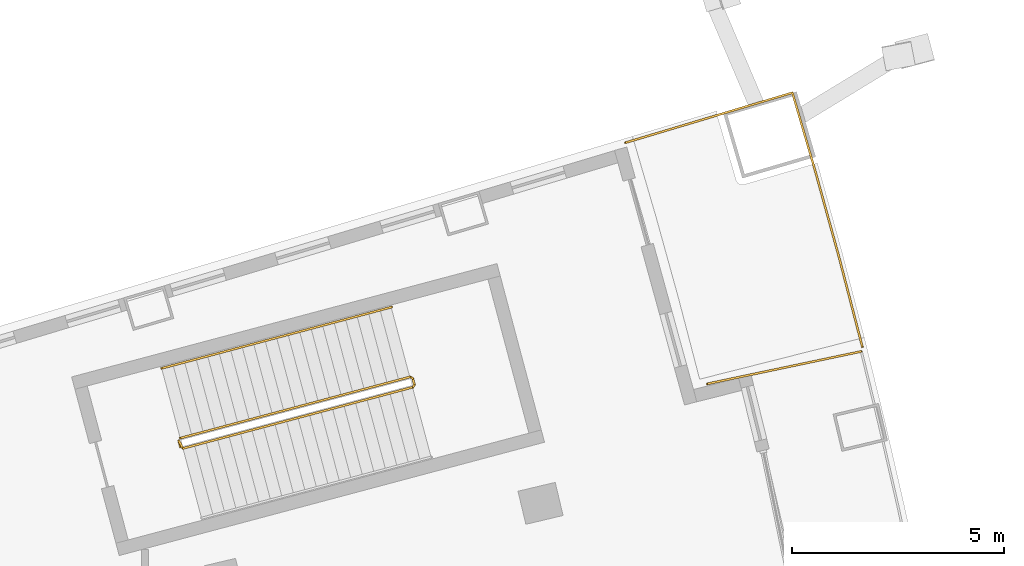
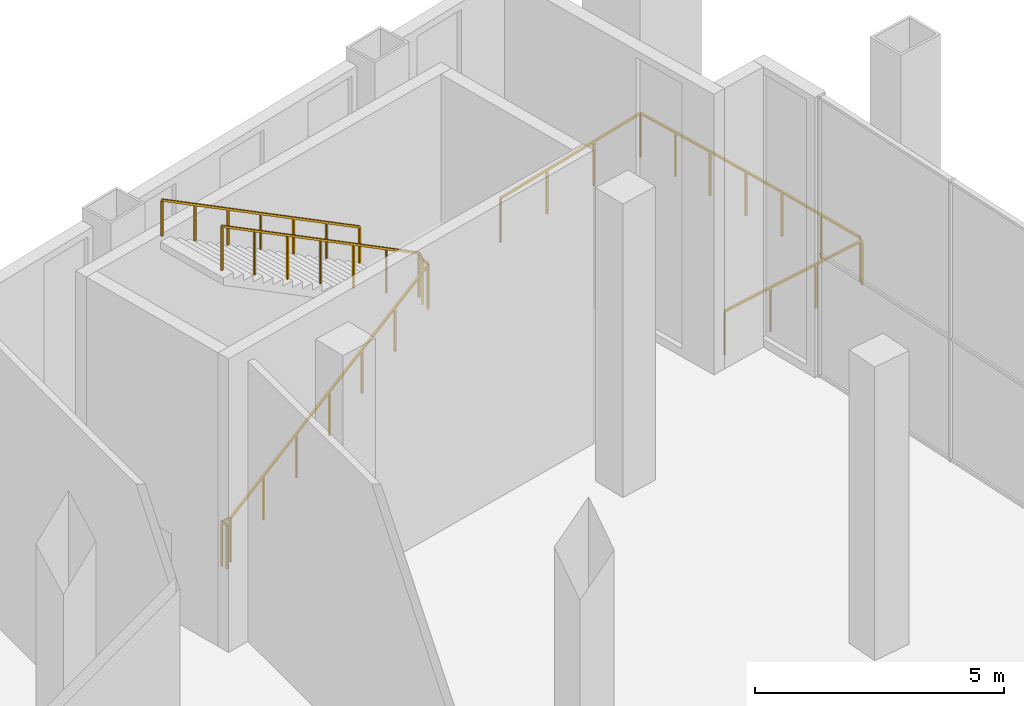
# One storey, part 25 of 26: 4 railings.
"""IFC4 building model written with IfcOpenShell, lengths in metres."""

from ifc_helpers import new_model, si_unit, direction, frame, origin, origin_2d, place, context, subcontext, project, spatial, rectangle, extrude, material, type_object, element, save


model = new_model("IFC4")

# Units and contexts
model_context = context("Model", 3, precision=1e-05, world=origin(), true_north=direction((0.0, 1.0)))
body_context = subcontext(model_context, "Body", "Model", "MODEL_VIEW")
ifc_project = project(units=[si_unit("LENGTHUNIT", "METRE"), si_unit("AREAUNIT", "SQUARE_METRE"), si_unit("VOLUMEUNIT", "CUBIC_METRE"), si_unit("PLANEANGLEUNIT", "RADIAN"), si_unit("MASSUNIT", "GRAM", prefix="KILO")], contexts=[model_context])

# Site, building, storey
site_placement = place(None, origin())
site = spatial("IfcSite", under=ifc_project, at=site_placement, CompositionType="ELEMENT")
building_placement = place(site_placement, origin())
building = spatial("IfcBuilding", under=site, at=building_placement, Name="Alderwake Tower", CompositionType="ELEMENT")
storey_placement = place(building_placement, frame((0.0, 0.0, 182.0)))
storey = spatial("IfcBuildingStorey", under=building, at=storey_placement, Name="L45", CompositionType="ELEMENT", Elevation=182.0)

# Railings
ifc_material_1 = material(Name="Stainless steel 316 rail and posts", Category="steel")
railing_type_1 = type_object("IfcRailingType", Name="Balcony guard 1100", PredefinedType="GUARDRAIL", material=ifc_material_1)
railing_1_placement = place(storey_placement, frame((55.28369140625, 95.037353515625, 0.0)))
element("IfcRailing", 1, at=railing_1_placement, inside=storey, type_object=railing_type_1, Name="Guard terrace FN", PredefinedType="GUARDRAIL", context=body_context, shape_type="SweptSolid", body=[
    extrude(rectangle(XDim=0.048095703125, YDim=0.048095703125, at=origin_2d()), frame((0.0, 0.0, 1.076171875), z_axis=(-0.251754622407, 0.967791098376, 0.0), x_axis=(-0.967791098376, -0.251754622407, 0.0)), (0.0, 0.0, 1.0), 2.234375),
    extrude(rectangle(XDim=0.048095703125, YDim=0.048095703125, at=origin_2d()), frame((-0.5625, 2.162353515625, 1.076171875), z_axis=(-0.266436611119, 0.963852443196, 0.0), x_axis=(-0.963852443196, -0.266436611119, 0.0)), (0.0, 0.0, 1.0), 2.0341796875),
    extrude(rectangle(XDim=0.048095703125, YDim=0.048095703125, at=origin_2d()), frame((-1.1044921875, 4.123046875, 1.076171875), z_axis=(-0.280184159138, 0.95994626775, 0.0), x_axis=(-0.95994626775, -0.280184159138, 0.0)), (0.0, 0.0, 1.0), 1.934326171875),
    extrude(rectangle(XDim=0.048095703125, YDim=0.048095703125, at=origin_2d()), frame((-1.646484375, 5.97998046875, 1.076171875), z_axis=(-0.957963839527, -0.286888971832, 0.0), x_axis=(0.286888971832, -0.957963839527, 0.0)), (0.0, 0.0, 1.0), 4.10009765625),
    extrude(rectangle(XDim=0.0419921875, YDim=0.0419921875, at=origin_2d()), frame((0.0, 0.0, 0.0), z_axis=(0.0, 0.0, 1.0), x_axis=(-0.251754622407, 0.967791098376, 0.0)), (0.0, 0.0, 1.0), 1.052001953125),
    extrude(rectangle(XDim=0.0419921875, YDim=0.0419921875, at=origin_2d()), frame((-0.28125, 1.0810546875, 0.0), z_axis=(0.0, 0.0, 1.0), x_axis=(-0.251754622407, 0.967791098376, 0.0)), (0.0, 0.0, 1.0), 1.052001953125),
    extrude(rectangle(XDim=0.0419921875, YDim=0.0419921875, at=origin_2d()), frame((-0.5625, 2.162353515625, 0.0), z_axis=(0.0, 0.0, 1.0), x_axis=(-0.266436611119, 0.963852443196, 0.0)), (0.0, 0.0, 1.0), 1.052001953125),
    extrude(rectangle(XDim=0.0419921875, YDim=0.0419921875, at=origin_2d()), frame((-0.83349609375, 3.142578125, 0.0), z_axis=(0.0, 0.0, 1.0), x_axis=(-0.266436611119, 0.963852443196, 0.0)), (0.0, 0.0, 1.0), 1.052001953125),
    extrude(rectangle(XDim=0.0419921875, YDim=0.0419921875, at=origin_2d()), frame((-1.1044921875, 4.123046875, 0.0), z_axis=(0.0, 0.0, 1.0), x_axis=(-0.280184159138, 0.95994626775, 0.0)), (0.0, 0.0, 1.0), 1.052001953125),
    extrude(rectangle(XDim=0.0419921875, YDim=0.0419921875, at=origin_2d()), frame((-1.37548828125, 5.051513671875, 0.0), z_axis=(0.0, 0.0, 1.0), x_axis=(-0.280184159138, 0.95994626775, 0.0)), (0.0, 0.0, 1.0), 1.052001953125),
    extrude(rectangle(XDim=0.0419921875, YDim=0.0419921875, at=origin_2d()), frame((-1.646484375, 5.97998046875, 0.0), z_axis=(0.0, 0.0, 1.0), x_axis=(-0.957963839527, -0.286888971832, 0.0)), (0.0, 0.0, 1.0), 1.052001953125),
    extrude(rectangle(XDim=0.0419921875, YDim=0.0419921875, at=origin_2d()), frame((-2.955810546875, 5.587890625, 0.0), z_axis=(0.0, 0.0, 1.0), x_axis=(-0.957963839527, -0.286888971832, 0.0)), (0.0, 0.0, 1.0), 1.052001953125),
    extrude(rectangle(XDim=0.0419921875, YDim=0.0419921875, at=origin_2d()), frame((-4.264892578125, 5.19580078125, 0.0), z_axis=(0.0, 0.0, 1.0), x_axis=(-0.957963839527, -0.286888971832, 0.0)), (0.0, 0.0, 1.0), 1.052001953125),
    extrude(rectangle(XDim=0.0419921875, YDim=0.0419921875, at=origin_2d()), frame((-5.57421875, 4.8037109375, 0.0), z_axis=(0.0, 0.0, 1.0), x_axis=(-0.957963839527, -0.286888971832, 0.0)), (0.0, 0.0, 1.0), 1.052001953125),
])
railing_2_placement = place(storey_placement, frame((55.259765625, 94.927978515625, 0.0)))
element("IfcRailing", 2, at=railing_2_placement, inside=storey, type_object=railing_type_1, Name="Guard garden terrace front end", PredefinedType="GUARDRAIL", context=body_context, shape_type="SweptSolid", body=[
    extrude(rectangle(XDim=0.048095703125, YDim=0.048095703125, at=origin_2d()), frame((0.0, 0.0, 1.076171875), z_axis=(-0.978571465615, -0.205907471171, 0.0), x_axis=(0.205907471171, -0.978571465615, 0.0)), (0.0, 0.0, 1.0), 3.702880859375),
    extrude(rectangle(XDim=0.0419921875, YDim=0.0419921875, at=origin_2d()), frame((0.0, 0.0, 0.0), z_axis=(0.0, 0.0, 1.0), x_axis=(-0.978571465615, -0.205907471171, 0.0)), (0.0, 0.0, 1.0), 1.052001953125),
    extrude(rectangle(XDim=0.0419921875, YDim=0.0419921875, at=origin_2d()), frame((-1.207763671875, -0.254150390625, 0.0), z_axis=(0.0, 0.0, 1.0), x_axis=(-0.978571465615, -0.205907471171, 0.0)), (0.0, 0.0, 1.0), 1.052001953125),
    extrude(rectangle(XDim=0.0419921875, YDim=0.0419921875, at=origin_2d()), frame((-2.415771484375, -0.50830078125, 0.0), z_axis=(0.0, 0.0, 1.0), x_axis=(-0.978571465615, -0.205907471171, 0.0)), (0.0, 0.0, 1.0), 1.052001953125),
    extrude(rectangle(XDim=0.0419921875, YDim=0.0419921875, at=origin_2d()), frame((-3.62353515625, -0.762451171875, 0.0), z_axis=(0.0, 0.0, 1.0), x_axis=(-0.978571465615, -0.205907471171, 0.0)), (0.0, 0.0, 1.0), 1.052001953125),
])
ifc_material_2 = material(Name="Stainless steel guard", Category="steel")
railing_type_2 = type_object("IfcRailingType", Name="Stair guard 1100", PredefinedType="GUARDRAIL", material=ifc_material_2)
railing_3_placement = place(storey_placement, frame((39.23291015625, 92.6806640625, 0.0)))
element("IfcRailing", 3, at=railing_3_placement, inside=storey, type_object=railing_type_2, Name="L45 ST-A stair guard 1", PredefinedType="GUARDRAIL", context=body_context, shape_type="SweptSolid", body=[
    extrude(rectangle(XDim=0.048095703125, YDim=0.048095703125, at=origin_2d()), frame((0.0, 0.0, 1.076171875), z_axis=(-0.257055032184, 0.966396766566, 0.0), x_axis=(-0.966396766566, -0.257055032184, 0.0)), (0.0, 0.0, 1.0), 0.150146484375),
    extrude(rectangle(XDim=0.048095703125, YDim=0.048095703125, at=origin_2d()), frame((-0.03857421875, 0.14501953125, 1.076171875), z_axis=(0.372402481115, -0.672873920646, 0.639184698638), x_axis=(0.874937996095, 0.484234966715, 0.0)), (0.0, 0.0, 1.0), 0.26806640625),
    extrude(rectangle(XDim=0.048095703125, YDim=0.048095703125, at=origin_2d()), frame((0.061279296875, -0.035400390625, 1.24755859375), z_axis=(0.824109601868, 0.219514689349, 0.522165361996), x_axis=(-0.257391295463, 0.966307260151, 0.0)), (0.0, 0.0, 1.0), 6.56640625),
    extrude(rectangle(XDim=0.048095703125, YDim=0.048095703125, at=origin_2d()), frame((5.47265625, 1.406005859375, 4.67626953125), z_axis=(0.500220121494, 0.865898279276, 0.0), x_axis=(-0.865898279276, 0.500220121494, 0.0)), (0.0, 0.0, 1.0), 0.07080078125),
    extrude(rectangle(XDim=0.048095703125, YDim=0.048095703125, at=origin_2d()), frame((5.508056640625, 1.46728515625, 4.67626953125), z_axis=(-0.257459803502, 0.966289009345, 0.0), x_axis=(-0.966289009345, -0.257459803502, 0.0)), (0.0, 0.0, 1.0), 0.14990234375),
    extrude(rectangle(XDim=0.048095703125, YDim=0.048095703125, at=origin_2d()), frame((5.469482421875, 1.612060546875, 4.67626953125), z_axis=(-0.330400185694, 0.192184968571, 0.924067451623), x_axis=(-0.502800015978, -0.864402767194, 0.0)), (0.0, 0.0, 1.0), 0.185546875),
    extrude(rectangle(XDim=0.048095703125, YDim=0.048095703125, at=origin_2d()), frame((5.408203125, 1.647705078125, 4.84765625), z_axis=(-0.824125601407, -0.219518951081, 0.522138318094), x_axis=(0.257391295463, -0.966307260151, 0.0)), (0.0, 0.0, 1.0), 6.566162109375),
    extrude(rectangle(XDim=0.0419921875, YDim=0.0419921875, at=origin_2d()), frame((0.0, 0.0, 0.0), z_axis=(0.0, 0.0, 1.0), x_axis=(-0.257055032184, 0.966396766566, 0.0)), (0.0, 0.0, 1.0), 1.052001953125),
    extrude(rectangle(XDim=0.0419921875, YDim=0.0419921875, at=origin_2d()), frame((-0.03857421875, 0.14501953125, 0.0), z_axis=(0.0, 0.0, 1.0), x_axis=(0.484234966715, -0.874937996095, 0.0)), (0.0, 0.0, 1.0), 1.052001953125),
    extrude(rectangle(XDim=0.0419921875, YDim=0.0419921875, at=origin_2d()), frame((0.061279296875, -0.035400390625, 0.17138671875), z_axis=(0.0, 0.0, 1.0), x_axis=(0.966307260151, 0.257391295463, 0.0)), (0.0, 0.0, 1.0), 1.052001953125),
    extrude(rectangle(XDim=0.0419921875, YDim=0.0419921875, at=origin_2d()), frame((0.963134765625, 0.204833984375, 0.742919921875), z_axis=(0.0, 0.0, 1.0), x_axis=(0.966307260151, 0.257391295463, 0.0)), (0.0, 0.0, 1.0), 1.052001953125),
    extrude(rectangle(XDim=0.0419921875, YDim=0.0419921875, at=origin_2d()), frame((1.864990234375, 0.445068359375, 1.314208984375), z_axis=(0.0, 0.0, 1.0), x_axis=(0.966307260151, 0.257391295463, 0.0)), (0.0, 0.0, 1.0), 1.052001953125),
    extrude(rectangle(XDim=0.0419921875, YDim=0.0419921875, at=origin_2d()), frame((2.76708984375, 0.685302734375, 1.8857421875), z_axis=(0.0, 0.0, 1.0), x_axis=(0.966307260151, 0.257391295463, 0.0)), (0.0, 0.0, 1.0), 1.052001953125),
    extrude(rectangle(XDim=0.0419921875, YDim=0.0419921875, at=origin_2d()), frame((3.6689453125, 0.925537109375, 2.457275390625), z_axis=(0.0, 0.0, 1.0), x_axis=(0.966307260151, 0.257391295463, 0.0)), (0.0, 0.0, 1.0), 1.052001953125),
    extrude(rectangle(XDim=0.0419921875, YDim=0.0419921875, at=origin_2d()), frame((4.57080078125, 1.165771484375, 3.028564453125), z_axis=(0.0, 0.0, 1.0), x_axis=(0.966307260151, 0.257391295463, 0.0)), (0.0, 0.0, 1.0), 1.052001953125),
    extrude(rectangle(XDim=0.0419921875, YDim=0.0419921875, at=origin_2d()), frame((5.47265625, 1.406005859375, 3.60009765625), z_axis=(0.0, 0.0, 1.0), x_axis=(0.500220121494, 0.865898279276, 0.0)), (0.0, 0.0, 1.0), 1.052001953125),
    extrude(rectangle(XDim=0.0419921875, YDim=0.0419921875, at=origin_2d()), frame((5.508056640625, 1.46728515625, 3.60009765625), z_axis=(0.0, 0.0, 1.0), x_axis=(-0.257459803502, 0.966289009345, 0.0)), (0.0, 0.0, 1.0), 1.052001953125),
    extrude(rectangle(XDim=0.0419921875, YDim=0.0419921875, at=origin_2d()), frame((5.469482421875, 1.612060546875, 3.60009765625), z_axis=(0.0, 0.0, 1.0), x_axis=(-0.864402767194, 0.502800015978, 0.0)), (0.0, 0.0, 1.0), 1.052001953125),
    extrude(rectangle(XDim=0.0419921875, YDim=0.0419921875, at=origin_2d()), frame((5.408203125, 1.647705078125, 3.771484375), z_axis=(0.0, 0.0, 1.0), x_axis=(-0.966307260151, -0.257391295463, 0.0)), (0.0, 0.0, 1.0), 1.052001953125),
    extrude(rectangle(XDim=0.0419921875, YDim=0.0419921875, at=origin_2d()), frame((4.50634765625, 1.407470703125, 4.3427734375), z_axis=(0.0, 0.0, 1.0), x_axis=(-0.966307260151, -0.257391295463, 0.0)), (0.0, 0.0, 1.0), 1.052001953125),
    extrude(rectangle(XDim=0.0419921875, YDim=0.0419921875, at=origin_2d()), frame((3.6044921875, 1.167236328125, 4.914306640625), z_axis=(0.0, 0.0, 1.0), x_axis=(-0.966307260151, -0.257391295463, 0.0)), (0.0, 0.0, 1.0), 1.052001953125),
    extrude(rectangle(XDim=0.0419921875, YDim=0.0419921875, at=origin_2d()), frame((2.70263671875, 0.927001953125, 5.48583984375), z_axis=(0.0, 0.0, 1.0), x_axis=(-0.966307260151, -0.257391295463, 0.0)), (0.0, 0.0, 1.0), 1.052001953125),
    extrude(rectangle(XDim=0.0419921875, YDim=0.0419921875, at=origin_2d()), frame((1.800537109375, 0.686767578125, 6.05712890625), z_axis=(0.0, 0.0, 1.0), x_axis=(-0.966307260151, -0.257391295463, 0.0)), (0.0, 0.0, 1.0), 1.052001953125),
    extrude(rectangle(XDim=0.0419921875, YDim=0.0419921875, at=origin_2d()), frame((0.898681640625, 0.446533203125, 6.62841796875), z_axis=(0.0, 0.0, 1.0), x_axis=(-0.966307260151, -0.257391295463, 0.0)), (0.0, 0.0, 1.0), 1.052001953125),
    extrude(rectangle(XDim=0.0419921875, YDim=0.0419921875, at=origin_2d()), frame((-0.003173828125, 0.206298828125, 7.199951171875), z_axis=(0.0, 0.0, 1.0), x_axis=(-0.966307260151, -0.257391295463, 0.0)), (0.0, 0.0, 1.0), 1.052001953125),
])
ifc_material_3 = material(Name="Stainless steel handrail", Category="steel")
railing_type_3 = type_object("IfcRailingType", Name="Stair handrail 900", PredefinedType="HANDRAIL", material=ifc_material_3)
railing_4_placement = place(storey_placement, frame((44.20361328125, 95.970947265625, 3.771484375)))
element("IfcRailing", 4, at=railing_4_placement, inside=storey, type_object=railing_type_3, Name="L45 ST-A stair handrail 2", PredefinedType="HANDRAIL", context=body_context, shape_type="SweptSolid", body=[
    extrude(rectangle(XDim=0.048095703125, YDim=0.048095703125, at=origin_2d()), frame((0.0, 0.0, 0.8759765625), z_axis=(-0.824125601407, -0.219518951081, 0.522138318094), x_axis=(0.257391295463, -0.966307260151, 0.0)), (0.0, 0.0, 1.0), 6.566162109375),
    extrude(rectangle(XDim=0.0419921875, YDim=0.0419921875, at=origin_2d()), frame((0.0, 0.0, 0.0), z_axis=(0.0, 0.0, 1.0), x_axis=(-0.966307260151, -0.257391295463, 0.0)), (0.0, 0.0, 1.0), 0.851806640625),
    extrude(rectangle(XDim=0.0419921875, YDim=0.0419921875, at=origin_2d()), frame((-0.90185546875, -0.240234375, 0.5712890625), z_axis=(0.0, 0.0, 1.0), x_axis=(-0.966307260151, -0.257391295463, 0.0)), (0.0, 0.0, 1.0), 0.851806640625),
    extrude(rectangle(XDim=0.0419921875, YDim=0.0419921875, at=origin_2d()), frame((-1.8037109375, -0.48046875, 1.142822265625), z_axis=(0.0, 0.0, 1.0), x_axis=(-0.966307260151, -0.257391295463, 0.0)), (0.0, 0.0, 1.0), 0.851806640625),
    extrude(rectangle(XDim=0.0419921875, YDim=0.0419921875, at=origin_2d()), frame((-2.70556640625, -0.720703125, 1.71435546875), z_axis=(0.0, 0.0, 1.0), x_axis=(-0.966307260151, -0.257391295463, 0.0)), (0.0, 0.0, 1.0), 0.851806640625),
    extrude(rectangle(XDim=0.0419921875, YDim=0.0419921875, at=origin_2d()), frame((-3.607666015625, -0.9609375, 2.28564453125), z_axis=(0.0, 0.0, 1.0), x_axis=(-0.966307260151, -0.257391295463, 0.0)), (0.0, 0.0, 1.0), 0.851806640625),
    extrude(rectangle(XDim=0.0419921875, YDim=0.0419921875, at=origin_2d()), frame((-4.509521484375, -1.201171875, 2.85693359375), z_axis=(0.0, 0.0, 1.0), x_axis=(-0.966307260151, -0.257391295463, 0.0)), (0.0, 0.0, 1.0), 0.851806640625),
    extrude(rectangle(XDim=0.0419921875, YDim=0.0419921875, at=origin_2d()), frame((-5.411376953125, -1.44140625, 3.428466796875), z_axis=(0.0, 0.0, 1.0), x_axis=(-0.966307260151, -0.257391295463, 0.0)), (0.0, 0.0, 1.0), 0.851806640625),
])

save(model, "model.ifc")
